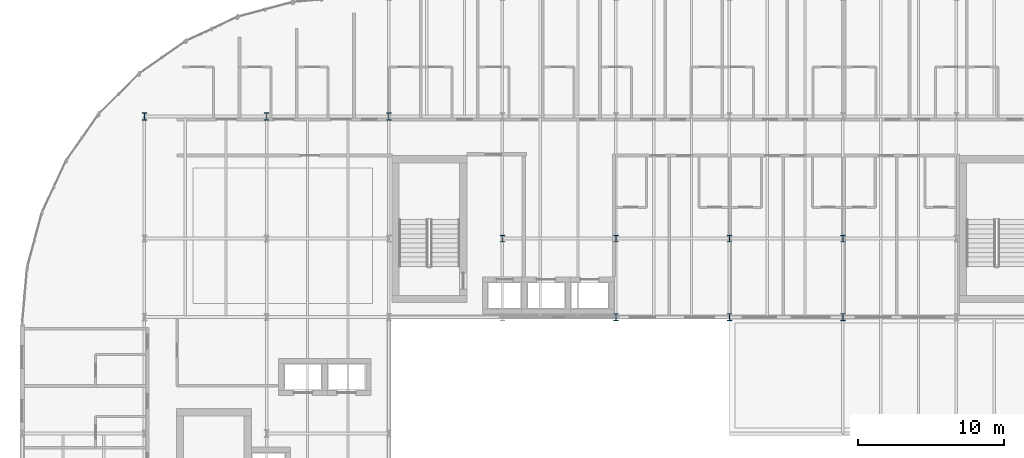
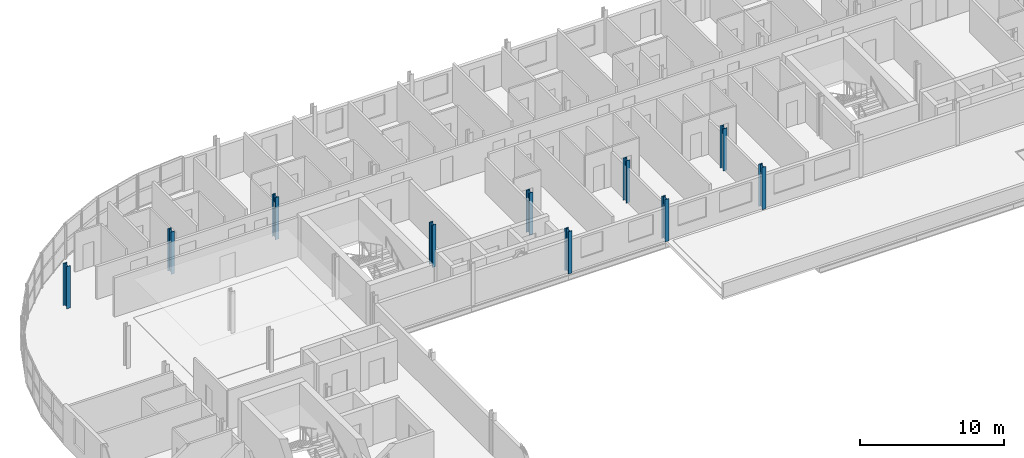
# One storey, part 2 of 36: 10 columns.
"""IFC4 building model written with IfcOpenShell, lengths in metres."""

from ifc_helpers import new_model, si_unit, direction, frame, origin, origin_2d, place, context, subcontext, project, spatial, i_section, extrude, material, material_profile, profile_set, type_object, element, save


model = new_model("IFC4")

# Units and contexts
model_context = context("Model", 3, precision=1e-05, world=origin(), true_north=direction((0.0, 1.0)))
body_context = subcontext(model_context, "Body", "Model", "MODEL_VIEW")
ifc_project = project(units=[si_unit("LENGTHUNIT", "METRE"), si_unit("AREAUNIT", "SQUARE_METRE"), si_unit("VOLUMEUNIT", "CUBIC_METRE"), si_unit("PLANEANGLEUNIT", "RADIAN"), si_unit("MASSUNIT", "GRAM", prefix="KILO")], contexts=[model_context])

# Site, building, storey
site_placement = place(None, origin())
site = spatial("IfcSite", under=ifc_project, at=site_placement, CompositionType="ELEMENT")
building_placement = place(site_placement, origin())
building = spatial("IfcBuilding", under=site, at=building_placement, Name="Sefraquen Railside Congress Hotel", CompositionType="ELEMENT")
storey_placement = place(building_placement, frame((0.0, 0.0, 24.60009765625)))
storey = spatial("IfcBuildingStorey", under=building, at=storey_placement, Name="L05", CompositionType="ELEMENT", Elevation=24.60009765625)

# Columns
ifc_material = material(Name="Steel S355JR", Category="steel")
ifc_material_profile_1 = material_profile(ifc_material, i_section(OverallWidth=0.300048828125, OverallDepth=0.449951171875, WebThickness=0.013916015625, FlangeThickness=0.02587890625, FilletRadius=0.027099609375, at=origin_2d()), Name="HEB 450")
ifc_profile_set_1 = profile_set([ifc_material_profile_1], Name="Steel S355JR")
column_type_1 = type_object("IfcColumnType", Name="TC-HEB-450", PredefinedType="COLUMN", material=ifc_profile_set_1)
for number, where, z_axis, x_axis, name in (
    (1, (33.0, 101.39990234375, 0.0), (0.0, 0.0, 1.0), (1.0, 0.0, 0.0), "Structural column 5-N L05"),
    (2, (40.800048828125, 101.39990234375, 0.0), (0.0, 0.0, 1.0), (1.0, 0.0, 0.0), "Structural column 6-N L05"),
    (3, (48.60009765625, 101.39990234375, 0.0), (0.0, 0.0, 1.0), (1.0, 0.0, 0.0), "Structural column 7-N L05"),
    (4, (56.39990234375, 101.39990234375, 0.0), (0.0, 0.0, 1.0), (1.0, 0.0, 0.0), "Structural column 8-N L05"),
):
    element("IfcColumn", number, at=place(storey_placement, frame(where, z_axis=z_axis, x_axis=x_axis)), inside=storey, type_object=column_type_1, Name=name, PredefinedType="COLUMN", context=body_context, shape_type="SweptSolid", body=[
        extrude(i_section(OverallWidth=0.300048828125, OverallDepth=0.449951171875, WebThickness=0.013916015625, FlangeThickness=0.02587890625, FilletRadius=0.027099609375, at=origin_2d()), origin(), (0.0, 0.0, 1.0), 3.599853515625),
    ])
ifc_material_profile_2 = material_profile(ifc_material, i_section(OverallWidth=0.300048828125, OverallDepth=0.5, WebThickness=0.014404296875, FlangeThickness=0.028076171875, FilletRadius=0.027099609375, at=origin_2d()), Name="HEB 500")
ifc_profile_set_2 = profile_set([ifc_material_profile_2], Name="Steel S355JR")
column_type_2 = type_object("IfcColumnType", Name="TC-HEB-500", PredefinedType="COLUMN", material=ifc_profile_set_2)
for number, where, z_axis, x_axis, name in (
    (5, (8.39990234375, 109.800048828125, 0.0), (0.0, 0.0, 1.0), (1.0, 0.0, 0.0), "Structural column 2-P L05"),
    (6, (16.800048828125, 109.800048828125, 0.0), (0.0, 0.0, 1.0), (1.0, 0.0, 0.0), "Structural column 3-P L05"),
    (7, (25.199951171875, 109.800048828125, 0.0), (0.0, 0.0, 1.0), (1.0, 0.0, 0.0), "Structural column 4-P L05"),
    (8, (40.800048828125, 96.0, 0.0), (0.0, 0.0, 1.0), (1.0, 0.0, 0.0), "Structural column 6-M L05"),
    (9, (48.60009765625, 96.0, 0.0), (0.0, 0.0, 1.0), (1.0, 0.0, 0.0), "Structural column 7-M L05"),
    (10, (56.39990234375, 96.0, 0.0), (0.0, 0.0, 1.0), (1.0, 0.0, 0.0), "Structural column 8-M L05"),
):
    element("IfcColumn", number, at=place(storey_placement, frame(where, z_axis=z_axis, x_axis=x_axis)), inside=storey, type_object=column_type_2, Name=name, PredefinedType="COLUMN", context=body_context, shape_type="SweptSolid", body=[
        extrude(i_section(OverallWidth=0.300048828125, OverallDepth=0.5, WebThickness=0.014404296875, FlangeThickness=0.028076171875, FilletRadius=0.027099609375, at=origin_2d()), origin(), (0.0, 0.0, 1.0), 3.599853515625),
    ])

save(model, "model.ifc")
